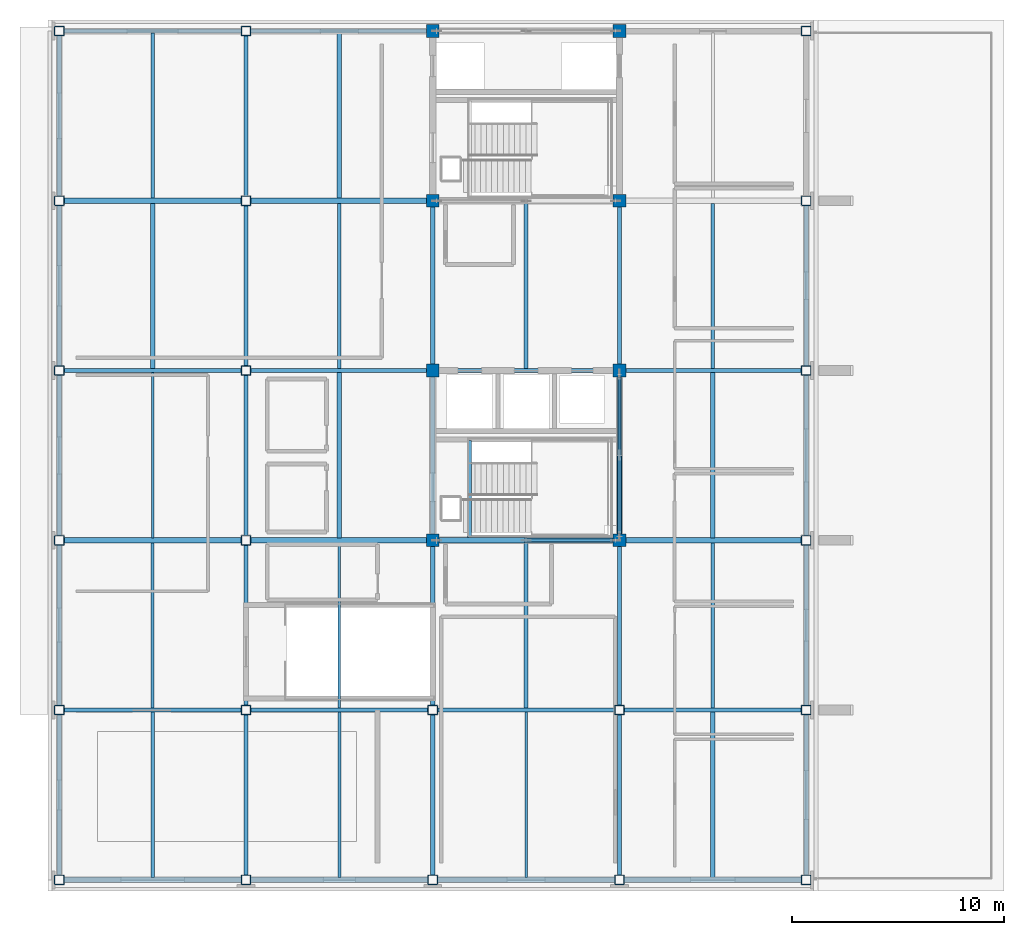
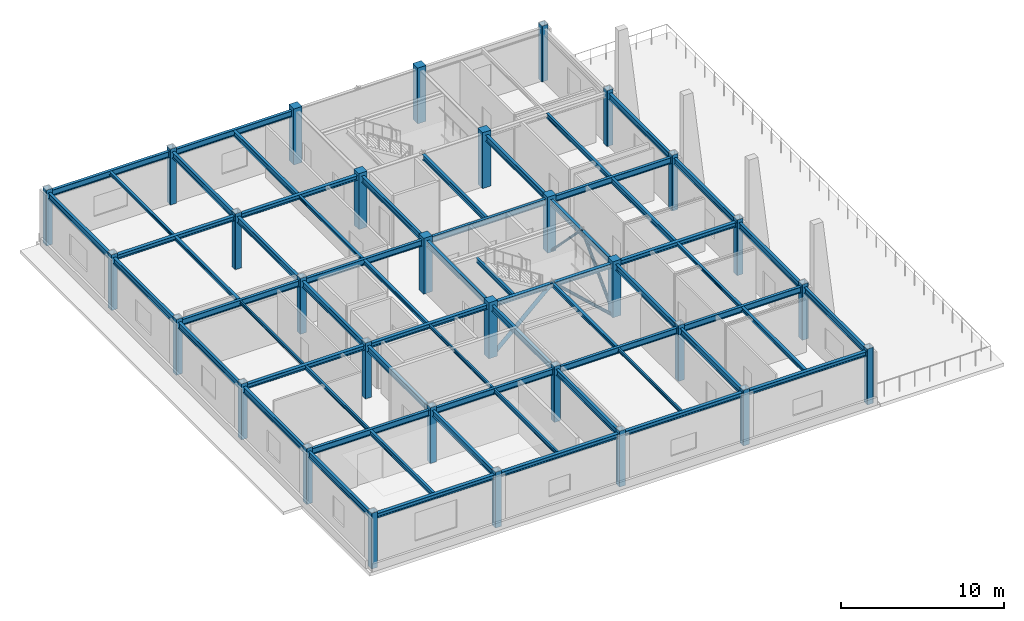
# One storey, part 1 of 13: 60 beams, 30 columns, 4 members.
"""IFC4 building model written with IfcOpenShell, lengths in metres."""

from ifc_helpers import new_model, si_unit, direction, frame, origin, origin_2d, place, context, subcontext, project, spatial, rectangle, hollow_rectangle, hollow_circle, i_section, extrude, material, material_profile, profile_set, type_object, element, save


model = new_model("IFC4")

# Units and contexts
model_context = context("Model", 3, precision=1e-05, world=origin(), true_north=direction((0.0, 1.0)))
body_context = subcontext(model_context, "Body", "Model", "MODEL_VIEW")
ifc_project = project(units=[si_unit("LENGTHUNIT", "METRE"), si_unit("AREAUNIT", "SQUARE_METRE"), si_unit("VOLUMEUNIT", "CUBIC_METRE"), si_unit("PLANEANGLEUNIT", "RADIAN"), si_unit("MASSUNIT", "GRAM", prefix="KILO")], contexts=[model_context])

# Site, building, storey
site_placement = place(None, origin())
site = spatial("IfcSite", under=ifc_project, at=site_placement, CompositionType="ELEMENT")
building_placement = place(site_placement, origin())
building = spatial("IfcBuilding", under=site, at=building_placement, Name="Zhaolan Boulevard Law Courts", CompositionType="ELEMENT")
storey_placement = place(building_placement, frame((0.0, 0.0, 37.199951171875)))
storey = spatial("IfcBuildingStorey", under=building, at=storey_placement, Name="L08", CompositionType="ELEMENT", Elevation=37.199951171875)

# Columns
ifc_material_1 = material(Name="Structural steel Q355B", Category="steel")
ifc_material_profile_1 = material_profile(ifc_material_1, hollow_rectangle(XDim=0.449951171875, YDim=0.449951171875, WallThickness=0.01806640625, InnerFilletRadius=0.01806640625, OuterFilletRadius=0.035888671875, at=origin_2d()), Name="BOX450x450x18")
ifc_profile_set_1 = profile_set([ifc_material_profile_1], Name="Structural steel Q355B")
column_type_1 = type_object("IfcColumnType", Name="COL BOX450", PredefinedType="COLUMN", material=ifc_profile_set_1)
for number, where, z_axis, x_axis, name in (
    (1, (0.0, 30.0, 0.0), (0.0, 0.0, 1.0), (1.0, 0.0, 0.0), "Column C-1E (L08)"),
    (2, (0.0, 38.0, 0.0), (0.0, 0.0, 1.0), (1.0, 0.0, 0.0), "Column C-1F (L08)"),
    (3, (0.0, 46.0, 0.0), (0.0, 0.0, 1.0), (1.0, 0.0, 0.0), "Column C-1G (L08)"),
    (4, (0.0, 54.0, 0.0), (0.0, 0.0, 1.0), (1.0, 0.0, 0.0), "Column C-1H (L08)"),
    (5, (0.0, 62.0, 0.0), (0.0, 0.0, 1.0), (1.0, 0.0, 0.0), "Column C-1J (L08)"),
    (6, (0.0, 70.0, 0.0), (0.0, 0.0, 1.0), (1.0, 0.0, 0.0), "Column C-1K (L08)"),
    (7, (8.800048828125, 30.0, 0.0), (0.0, 0.0, 1.0), (1.0, 0.0, 0.0), "Column C-2E (L08)"),
    (8, (8.800048828125, 38.0, 0.0), (0.0, 0.0, 1.0), (1.0, 0.0, 0.0), "Column C-2F (L08)"),
    (9, (8.800048828125, 46.0, 0.0), (0.0, 0.0, 1.0), (1.0, 0.0, 0.0), "Column C-2G (L08)"),
    (10, (8.800048828125, 54.0, 0.0), (0.0, 0.0, 1.0), (1.0, 0.0, 0.0), "Column C-2H (L08)"),
    (11, (8.800048828125, 62.0, 0.0), (0.0, 0.0, 1.0), (1.0, 0.0, 0.0), "Column C-2J (L08)"),
    (12, (8.800048828125, 70.0, 0.0), (0.0, 0.0, 1.0), (1.0, 0.0, 0.0), "Column C-2K (L08)"),
    (13, (17.60009765625, 30.0, 0.0), (0.0, 0.0, 1.0), (1.0, 0.0, 0.0), "Column C-3E (L08)"),
    (14, (17.60009765625, 38.0, 0.0), (0.0, 0.0, 1.0), (1.0, 0.0, 0.0), "Column C-3F (L08)"),
    (15, (26.39990234375, 30.0, 0.0), (0.0, 0.0, 1.0), (1.0, 0.0, 0.0), "Column C-4E (L08)"),
    (16, (26.39990234375, 38.0, 0.0), (0.0, 0.0, 1.0), (1.0, 0.0, 0.0), "Column C-4F (L08)"),
    (17, (35.199951171875, 30.0, 0.0), (0.0, 0.0, 1.0), (1.0, 0.0, 0.0), "Column C-5E (L08)"),
    (18, (35.199951171875, 38.0, 0.0), (0.0, 0.0, 1.0), (1.0, 0.0, 0.0), "Column C-5F (L08)"),
    (19, (35.199951171875, 46.0, 0.0), (0.0, 0.0, 1.0), (1.0, 0.0, 0.0), "Column C-5G (L08)"),
    (20, (35.199951171875, 54.0, 0.0), (0.0, 0.0, 1.0), (1.0, 0.0, 0.0), "Column C-5H (L08)"),
    (21, (35.199951171875, 62.0, 0.0), (0.0, 0.0, 1.0), (1.0, 0.0, 0.0), "Column C-5J (L08)"),
    (22, (35.199951171875, 70.0, 0.0), (0.0, 0.0, 1.0), (1.0, 0.0, 0.0), "Column C-5K (L08)"),
):
    element("IfcColumn", number, at=place(storey_placement, frame(where, z_axis=z_axis, x_axis=x_axis)), inside=storey, type_object=column_type_1, Name=name, PredefinedType="COLUMN", context=body_context, shape_type="SweptSolid", body=[
        extrude(hollow_rectangle(XDim=0.449951171875, YDim=0.449951171875, WallThickness=0.01806640625, InnerFilletRadius=0.01806640625, OuterFilletRadius=0.035888671875, at=origin_2d()), origin(), (0.0, 0.0, 1.0), 4.199951171875),
    ])
ifc_material_2 = material(Name="Concrete C50", Category="concrete")
ifc_material_profile_2 = material_profile(ifc_material_2, rectangle(XDim=0.60009765625, YDim=0.60009765625, at=origin_2d()), Name="RC600x600")
ifc_profile_set_2 = profile_set([ifc_material_profile_2], Name="Concrete C50")
column_type_2 = type_object("IfcColumnType", Name="COL RC600", PredefinedType="COLUMN", material=ifc_profile_set_2)
for number, where, z_axis, x_axis, name in (
    (23, (17.60009765625, 46.0, 0.0), (0.0, 0.0, 1.0), (1.0, 0.0, 0.0), "Column C-3G (L08)"),
    (24, (17.60009765625, 54.0, 0.0), (0.0, 0.0, 1.0), (1.0, 0.0, 0.0), "Column C-3H (L08)"),
    (25, (17.60009765625, 62.0, 0.0), (0.0, 0.0, 1.0), (1.0, 0.0, 0.0), "Column C-3J (L08)"),
    (26, (17.60009765625, 70.0, 0.0), (0.0, 0.0, 1.0), (1.0, 0.0, 0.0), "Column C-3K (L08)"),
    (27, (26.39990234375, 46.0, 0.0), (0.0, 0.0, 1.0), (1.0, 0.0, 0.0), "Column C-4G (L08)"),
    (28, (26.39990234375, 54.0, 0.0), (0.0, 0.0, 1.0), (1.0, 0.0, 0.0), "Column C-4H (L08)"),
    (29, (26.39990234375, 62.0, 0.0), (0.0, 0.0, 1.0), (1.0, 0.0, 0.0), "Column C-4J (L08)"),
    (30, (26.39990234375, 70.0, 0.0), (0.0, 0.0, 1.0), (1.0, 0.0, 0.0), "Column C-4K (L08)"),
):
    element("IfcColumn", number, at=place(storey_placement, frame(where, z_axis=z_axis, x_axis=x_axis)), inside=storey, type_object=column_type_2, Name=name, PredefinedType="COLUMN", context=body_context, shape_type="SweptSolid", body=[
        extrude(rectangle(XDim=0.60009765625, YDim=0.60009765625, at=origin_2d()), origin(), (0.0, 0.0, 1.0), 4.199951171875),
    ])

# Members
ifc_material_3 = material(Name="Structural steel Q355B", Category="steel")
ifc_material_profile_3 = material_profile(ifc_material_3, hollow_circle(Radius=0.109619140625, WallThickness=0.008056640625, at=origin_2d()), Name="CHS219x8")
ifc_profile_set_3 = profile_set([ifc_material_profile_3], Name="Structural steel Q355B")
member_type_1 = type_object("IfcMemberType", Name="BRACE CHS219", PredefinedType="BRACE", material=ifc_profile_set_3)
member_1_placement = place(storey_placement, frame((26.219970703125, 46.0, 0.030029296875), z_axis=(-0.73525664892, 0.0, 0.677788802076), x_axis=(0.0, -1.0, 0.0)))
element("IfcMember", 31, at=member_1_placement, inside=storey, type_object=member_type_1, Name="Core Brace BR-W1-L08-S2", PredefinedType="BRACE", context=body_context, shape_type="SweptSolid", body=[
    extrude(hollow_circle(Radius=0.109619140625, WallThickness=0.008056640625, at=origin_2d()), origin(), (0.0, 0.0, 1.0), 5.739501953125),
])
member_2_placement = place(storey_placement, frame((26.39990234375, 46.179931640625, 0.030029296875), z_axis=(0.0, 0.700651844954, 0.713503323161), x_axis=(-1.0, 0.0, 0.0)))
element("IfcMember", 32, at=member_2_placement, inside=storey, type_object=member_type_1, Name="Core Brace BR-W1-L08-E1", PredefinedType="BRACE", context=body_context, shape_type="SweptSolid", body=[
    extrude(hollow_circle(Radius=0.109619140625, WallThickness=0.008056640625, at=origin_2d()), origin(), (0.0, 0.0, 1.0), 5.4521484375),
])
ifc_material_4 = material(Name="Structural steel Q355B", Category="steel")
ifc_material_profile_4 = material_profile(ifc_material_4, hollow_circle(Radius=0.136474609375, WallThickness=0.010009765625, at=origin_2d()), Name="CHS273x10")
ifc_profile_set_4 = profile_set([ifc_material_profile_4], Name="Structural steel Q355B")
member_type_2 = type_object("IfcMemberType", Name="BRACE CHS273", PredefinedType="BRACE", material=ifc_profile_set_4)
member_3_placement = place(storey_placement, frame((17.780029296875, 46.0, 0.030029296875), z_axis=(0.73525664892, 0.0, 0.677788802076), x_axis=(0.0, 1.0, 0.0)))
element("IfcMember", 33, at=member_3_placement, inside=storey, type_object=member_type_2, Name="Core Brace BR-W1-L08-S1", PredefinedType="BRACE", context=body_context, shape_type="SweptSolid", body=[
    extrude(hollow_circle(Radius=0.136474609375, WallThickness=0.010009765625, at=origin_2d()), origin(), (0.0, 0.0, 1.0), 5.739501953125),
])

# Beams
ifc_material_5 = material(Name="Structural steel Q355B", Category="steel")
ifc_material_profile_5 = material_profile(ifc_material_5, i_section(OverallWidth=0.199951171875, OverallDepth=0.449951171875, WebThickness=0.009033203125, FlangeThickness=0.013916015625, FilletRadius=0.01611328125, at=origin_2d()), Name="HN450x200")
ifc_profile_set_5 = profile_set([ifc_material_profile_5], Name="Structural steel Q355B")
beam_type_1 = type_object("IfcBeamType", Name="GIRDER HN450", PredefinedType="BEAM", material=ifc_profile_set_5)
beam_1_placement = place(storey_placement, frame((0.220947265625, 38.0, 3.72314453125), z_axis=(1.0, 0.0, 0.0), x_axis=(0.0, 1.0, 0.0)))
element("IfcBeam", 34, at=beam_1_placement, inside=storey, type_object=beam_type_1, Name="Beam BX-L09-1-2-F", PredefinedType="BEAM", context=body_context, shape_type="SweptSolid", body=[
    extrude(i_section(OverallWidth=0.199951171875, OverallDepth=0.449951171875, WebThickness=0.009033203125, FlangeThickness=0.013916015625, FilletRadius=0.01611328125, at=origin_2d()), origin(), (0.0, 0.0, 1.0), 8.358154296875),
])
for number, where, z_axis, x_axis, name in (
    (35, (9.02099609375, 38.0, 3.72314453125), (1.0, 0.0, 0.0), (0.0, 1.0, 0.0), "Beam BX-L09-2-3-F"),
    (36, (17.821044921875, 38.0, 3.72314453125), (1.0, 0.0, 0.0), (0.0, 1.0, 0.0), "Beam BX-L09-3-4-F"),
    (37, (26.62109375, 38.0, 3.72314453125), (1.0, 0.0, 0.0), (0.0, 1.0, 0.0), "Beam BX-L09-4-5-F"),
):
    element("IfcBeam", number, at=place(storey_placement, frame(where, z_axis=z_axis, x_axis=x_axis)), inside=storey, type_object=beam_type_1, Name=name, PredefinedType="BEAM", context=body_context, shape_type="SweptSolid", body=[
        extrude(i_section(OverallWidth=0.199951171875, OverallDepth=0.449951171875, WebThickness=0.009033203125, FlangeThickness=0.013916015625, FilletRadius=0.01611328125, at=origin_2d()), origin(), (0.0, 0.0, 1.0), 8.35791015625),
    ])
beam_2_placement = place(storey_placement, frame((0.220947265625, 54.0, 3.72314453125), z_axis=(1.0, 0.0, 0.0), x_axis=(0.0, 1.0, 0.0)))
element("IfcBeam", 38, at=beam_2_placement, inside=storey, type_object=beam_type_1, Name="Beam BX-L09-1-2-H", PredefinedType="BEAM", context=body_context, shape_type="SweptSolid", body=[
    extrude(i_section(OverallWidth=0.199951171875, OverallDepth=0.449951171875, WebThickness=0.009033203125, FlangeThickness=0.013916015625, FilletRadius=0.01611328125, at=origin_2d()), origin(), (0.0, 0.0, 1.0), 8.358154296875),
])
beam_3_placement = place(storey_placement, frame((9.02099609375, 54.0, 3.72314453125), z_axis=(1.0, 0.0, 0.0), x_axis=(0.0, 1.0, 0.0)))
element("IfcBeam", 39, at=beam_3_placement, inside=storey, type_object=beam_type_1, Name="Beam BX-L09-2-3-H", PredefinedType="BEAM", context=body_context, shape_type="SweptSolid", body=[
    extrude(i_section(OverallWidth=0.199951171875, OverallDepth=0.449951171875, WebThickness=0.009033203125, FlangeThickness=0.013916015625, FilletRadius=0.01611328125, at=origin_2d()), origin(), (0.0, 0.0, 1.0), 8.282958984375),
])
beam_4_placement = place(storey_placement, frame((17.89599609375, 54.0, 3.72314453125), z_axis=(1.0, 0.0, 0.0), x_axis=(0.0, 1.0, 0.0)))
element("IfcBeam", 40, at=beam_4_placement, inside=storey, type_object=beam_type_1, Name="Beam BX-L09-3-4-H", PredefinedType="BEAM", context=body_context, shape_type="SweptSolid", body=[
    extrude(i_section(OverallWidth=0.199951171875, OverallDepth=0.449951171875, WebThickness=0.009033203125, FlangeThickness=0.013916015625, FilletRadius=0.01611328125, at=origin_2d()), origin(), (0.0, 0.0, 1.0), 8.2080078125),
])
beam_5_placement = place(storey_placement, frame((26.696044921875, 54.0, 3.72314453125), z_axis=(1.0, 0.0, 0.0), x_axis=(0.0, 1.0, 0.0)))
element("IfcBeam", 41, at=beam_5_placement, inside=storey, type_object=beam_type_1, Name="Beam BX-L09-4-5-H", PredefinedType="BEAM", context=body_context, shape_type="SweptSolid", body=[
    extrude(i_section(OverallWidth=0.199951171875, OverallDepth=0.449951171875, WebThickness=0.009033203125, FlangeThickness=0.013916015625, FilletRadius=0.01611328125, at=origin_2d()), origin(), (0.0, 0.0, 1.0), 8.282958984375),
])
beam_6_placement = place(storey_placement, frame((0.220947265625, 70.0, 3.72314453125), z_axis=(1.0, 0.0, 0.0), x_axis=(0.0, 1.0, 0.0)))
element("IfcBeam", 42, at=beam_6_placement, inside=storey, type_object=beam_type_1, Name="Beam BX-L09-1-2-K", PredefinedType="BEAM", context=body_context, shape_type="SweptSolid", body=[
    extrude(i_section(OverallWidth=0.199951171875, OverallDepth=0.449951171875, WebThickness=0.009033203125, FlangeThickness=0.013916015625, FilletRadius=0.01611328125, at=origin_2d()), origin(), (0.0, 0.0, 1.0), 8.358154296875),
])
beam_7_placement = place(storey_placement, frame((9.02099609375, 70.0, 3.72314453125), z_axis=(1.0, 0.0, 0.0), x_axis=(0.0, 1.0, 0.0)))
element("IfcBeam", 43, at=beam_7_placement, inside=storey, type_object=beam_type_1, Name="Beam BX-L09-2-3-K", PredefinedType="BEAM", context=body_context, shape_type="SweptSolid", body=[
    extrude(i_section(OverallWidth=0.199951171875, OverallDepth=0.449951171875, WebThickness=0.009033203125, FlangeThickness=0.013916015625, FilletRadius=0.01611328125, at=origin_2d()), origin(), (0.0, 0.0, 1.0), 8.282958984375),
])
for number, where, z_axis, x_axis, name in (
    (44, (0.0, 30.220947265625, 3.72314453125), (0.0, 1.0, 0.0), (-1.0, 0.0, 0.0), "Beam BY-L09-1-E-F"),
    (45, (0.0, 38.220947265625, 3.72314453125), (0.0, 1.0, 0.0), (-1.0, 0.0, 0.0), "Beam BY-L09-1-F-G"),
    (46, (0.0, 46.220947265625, 3.72314453125), (0.0, 1.0, 0.0), (-1.0, 0.0, 0.0), "Beam BY-L09-1-G-H"),
    (47, (0.0, 54.220947265625, 3.72314453125), (0.0, 1.0, 0.0), (-1.0, 0.0, 0.0), "Beam BY-L09-1-H-J"),
    (48, (0.0, 62.220947265625, 3.72314453125), (0.0, 1.0, 0.0), (-1.0, 0.0, 0.0), "Beam BY-L09-1-J-K"),
    (49, (8.800048828125, 30.220947265625, 3.72314453125), (0.0, 1.0, 0.0), (-1.0, 0.0, 0.0), "Beam BY-L09-2-E-F"),
    (50, (8.800048828125, 38.220947265625, 3.72314453125), (0.0, 1.0, 0.0), (-1.0, 0.0, 0.0), "Beam BY-L09-2-F-G"),
    (51, (8.800048828125, 46.220947265625, 3.72314453125), (0.0, 1.0, 0.0), (-1.0, 0.0, 0.0), "Beam BY-L09-2-G-H"),
    (52, (8.800048828125, 54.220947265625, 3.72314453125), (0.0, 1.0, 0.0), (-1.0, 0.0, 0.0), "Beam BY-L09-2-H-J"),
    (53, (8.800048828125, 62.220947265625, 3.72314453125), (0.0, 1.0, 0.0), (-1.0, 0.0, 0.0), "Beam BY-L09-2-J-K"),
    (54, (17.60009765625, 30.220947265625, 3.72314453125), (0.0, 1.0, 0.0), (-1.0, 0.0, 0.0), "Beam BY-L09-3-E-F"),
):
    element("IfcBeam", number, at=place(storey_placement, frame(where, z_axis=z_axis, x_axis=x_axis)), inside=storey, type_object=beam_type_1, Name=name, PredefinedType="BEAM", context=body_context, shape_type="SweptSolid", body=[
        extrude(i_section(OverallWidth=0.199951171875, OverallDepth=0.449951171875, WebThickness=0.009033203125, FlangeThickness=0.013916015625, FilletRadius=0.01611328125, at=origin_2d()), origin(), (0.0, 0.0, 1.0), 7.55810546875),
    ])
beam_8_placement = place(storey_placement, frame((17.60009765625, 38.220947265625, 3.72314453125), z_axis=(0.0, 1.0, 0.0), x_axis=(-1.0, 0.0, 0.0)))
element("IfcBeam", 55, at=beam_8_placement, inside=storey, type_object=beam_type_1, Name="Beam BY-L09-3-F-G", PredefinedType="BEAM", context=body_context, shape_type="SweptSolid", body=[
    extrude(i_section(OverallWidth=0.199951171875, OverallDepth=0.449951171875, WebThickness=0.009033203125, FlangeThickness=0.013916015625, FilletRadius=0.01611328125, at=origin_2d()), origin(), (0.0, 0.0, 1.0), 7.483154296875),
])
for number, where, z_axis, x_axis, name in (
    (56, (17.60009765625, 46.2958984375, 3.72314453125), (0.0, 1.0, 0.0), (-1.0, 0.0, 0.0), "Beam BY-L09-3-G-H"),
    (57, (17.60009765625, 54.2958984375, 3.72314453125), (0.0, 1.0, 0.0), (-1.0, 0.0, 0.0), "Beam BY-L09-3-H-J"),
):
    element("IfcBeam", number, at=place(storey_placement, frame(where, z_axis=z_axis, x_axis=x_axis)), inside=storey, type_object=beam_type_1, Name=name, PredefinedType="BEAM", context=body_context, shape_type="SweptSolid", body=[
        extrude(i_section(OverallWidth=0.199951171875, OverallDepth=0.449951171875, WebThickness=0.009033203125, FlangeThickness=0.013916015625, FilletRadius=0.01611328125, at=origin_2d()), origin(), (0.0, 0.0, 1.0), 7.408203125),
    ])
beam_9_placement = place(storey_placement, frame((26.39990234375, 30.220947265625, 3.72314453125), z_axis=(0.0, 1.0, 0.0), x_axis=(-1.0, 0.0, 0.0)))
element("IfcBeam", 58, at=beam_9_placement, inside=storey, type_object=beam_type_1, Name="Beam BY-L09-4-E-F", PredefinedType="BEAM", context=body_context, shape_type="SweptSolid", body=[
    extrude(i_section(OverallWidth=0.199951171875, OverallDepth=0.449951171875, WebThickness=0.009033203125, FlangeThickness=0.013916015625, FilletRadius=0.01611328125, at=origin_2d()), origin(), (0.0, 0.0, 1.0), 7.55810546875),
])
beam_10_placement = place(storey_placement, frame((26.39990234375, 38.220947265625, 3.72314453125), z_axis=(0.0, 1.0, 0.0), x_axis=(-1.0, 0.0, 0.0)))
element("IfcBeam", 59, at=beam_10_placement, inside=storey, type_object=beam_type_1, Name="Beam BY-L09-4-F-G", PredefinedType="BEAM", context=body_context, shape_type="SweptSolid", body=[
    extrude(i_section(OverallWidth=0.199951171875, OverallDepth=0.449951171875, WebThickness=0.009033203125, FlangeThickness=0.013916015625, FilletRadius=0.01611328125, at=origin_2d()), origin(), (0.0, 0.0, 1.0), 7.483154296875),
])
for number, where, z_axis, x_axis, name in (
    (60, (26.39990234375, 46.2958984375, 3.72314453125), (0.0, 1.0, 0.0), (-1.0, 0.0, 0.0), "Beam BY-L09-4-G-H"),
    (61, (26.39990234375, 54.2958984375, 3.72314453125), (0.0, 1.0, 0.0), (-1.0, 0.0, 0.0), "Beam BY-L09-4-H-J"),
):
    element("IfcBeam", number, at=place(storey_placement, frame(where, z_axis=z_axis, x_axis=x_axis)), inside=storey, type_object=beam_type_1, Name=name, PredefinedType="BEAM", context=body_context, shape_type="SweptSolid", body=[
        extrude(i_section(OverallWidth=0.199951171875, OverallDepth=0.449951171875, WebThickness=0.009033203125, FlangeThickness=0.013916015625, FilletRadius=0.01611328125, at=origin_2d()), origin(), (0.0, 0.0, 1.0), 7.408203125),
    ])
for number, where, z_axis, x_axis, name in (
    (62, (35.199951171875, 30.220947265625, 3.72314453125), (0.0, 1.0, 0.0), (-1.0, 0.0, 0.0), "Beam BY-L09-5-E-F"),
    (63, (35.199951171875, 38.220947265625, 3.72314453125), (0.0, 1.0, 0.0), (-1.0, 0.0, 0.0), "Beam BY-L09-5-F-G"),
    (64, (35.199951171875, 46.220947265625, 3.72314453125), (0.0, 1.0, 0.0), (-1.0, 0.0, 0.0), "Beam BY-L09-5-G-H"),
    (65, (35.199951171875, 54.220947265625, 3.72314453125), (0.0, 1.0, 0.0), (-1.0, 0.0, 0.0), "Beam BY-L09-5-H-J"),
):
    element("IfcBeam", number, at=place(storey_placement, frame(where, z_axis=z_axis, x_axis=x_axis)), inside=storey, type_object=beam_type_1, Name=name, PredefinedType="BEAM", context=body_context, shape_type="SweptSolid", body=[
        extrude(i_section(OverallWidth=0.199951171875, OverallDepth=0.449951171875, WebThickness=0.009033203125, FlangeThickness=0.013916015625, FilletRadius=0.01611328125, at=origin_2d()), origin(), (0.0, 0.0, 1.0), 7.55810546875),
    ])
ifc_material_6 = material(Name="Structural steel Q355B", Category="steel")
ifc_material_profile_6 = material_profile(ifc_material_6, i_section(OverallWidth=0.175048828125, OverallDepth=0.243896484375, WebThickness=0.007080078125, FlangeThickness=0.010986328125, FilletRadius=0.012939453125, at=origin_2d()), Name="HM244x175")
ifc_profile_set_6 = profile_set([ifc_material_profile_6], Name="Structural steel Q355B")
beam_type_2 = type_object("IfcBeamType", Name="JOIST HM244", PredefinedType="JOIST", material=ifc_profile_set_6)
for number, where, z_axis, x_axis, name in (
    (66, (4.39990234375, 62.12109375, 3.825927734375), (0.0, 1.0, 0.0), (-1.0, 0.0, 0.0), "Composite Joist J-L09-1J"),
    (67, (13.199951171875, 54.095947265625, 3.825927734375), (0.0, 1.0, 0.0), (-1.0, 0.0, 0.0), "Composite Joist J-L09-2H"),
    (68, (30.800048828125, 38.095947265625, 3.825927734375), (0.0, 1.0, 0.0), (-1.0, 0.0, 0.0), "Composite Joist J-L09-4F"),
):
    element("IfcBeam", number, at=place(storey_placement, frame(where, z_axis=z_axis, x_axis=x_axis)), inside=storey, type_object=beam_type_2, Name=name, PredefinedType="JOIST", context=body_context, shape_type="SweptSolid", body=[
        extrude(i_section(OverallWidth=0.175048828125, OverallDepth=0.243896484375, WebThickness=0.007080078125, FlangeThickness=0.010986328125, FilletRadius=0.012939453125, at=origin_2d()), origin(), (0.0, 0.0, 1.0), 7.782958984375),
    ])
ifc_material_7 = material(Name="Structural steel Q355B", Category="steel")
ifc_material_profile_7 = material_profile(ifc_material_7, i_section(OverallWidth=0.199951171875, OverallDepth=0.2939453125, WebThickness=0.008056640625, FlangeThickness=0.011962890625, FilletRadius=0.01611328125, at=origin_2d()), Name="HM294x200")
ifc_profile_set_7 = profile_set([ifc_material_profile_7], Name="Structural steel Q355B")
beam_type_3 = type_object("IfcBeamType", Name="JOIST HM294", PredefinedType="JOIST", material=ifc_profile_set_7)
for number, where, z_axis, x_axis, name in (
    (69, (4.39990234375, 54.095947265625, 3.801025390625), (0.0, 1.0, 0.0), (-1.0, 0.0, 0.0), "Composite Joist J-L09-1H"),
    (70, (13.199951171875, 46.12109375, 3.801025390625), (0.0, 1.0, 0.0), (-1.0, 0.0, 0.0), "Composite Joist J-L09-2G"),
    (71, (22.0, 38.095947265625, 3.801025390625), (0.0, 1.0, 0.0), (-1.0, 0.0, 0.0), "Composite Joist J-L09-3F"),
    (72, (30.800048828125, 30.12109375, 3.801025390625), (0.0, 1.0, 0.0), (-1.0, 0.0, 0.0), "Composite Joist J-L09-4E"),
):
    element("IfcBeam", number, at=place(storey_placement, frame(where, z_axis=z_axis, x_axis=x_axis)), inside=storey, type_object=beam_type_3, Name=name, PredefinedType="JOIST", context=body_context, shape_type="SweptSolid", body=[
        extrude(i_section(OverallWidth=0.199951171875, OverallDepth=0.2939453125, WebThickness=0.008056640625, FlangeThickness=0.011962890625, FilletRadius=0.01611328125, at=origin_2d()), origin(), (0.0, 0.0, 1.0), 7.782958984375),
    ])
ifc_material_8 = material(Name="Structural steel Q355B", Category="steel")
ifc_material_profile_8 = material_profile(ifc_material_8, i_section(OverallWidth=0.125, OverallDepth=0.25, WebThickness=0.006103515625, FlangeThickness=0.009033203125, FilletRadius=0.010009765625, at=origin_2d()), Name="HN250x125")
ifc_profile_set_8 = profile_set([ifc_material_profile_8], Name="Structural steel Q355B")
beam_type_4 = type_object("IfcBeamType", Name="JOIST HN250", PredefinedType="JOIST", material=ifc_profile_set_8)
for number, where, z_axis, x_axis, name in (
    (73, (4.39990234375, 46.12109375, 3.822998046875), (0.0, 1.0, 0.0), (-1.0, 0.0, 0.0), "Composite Joist J-L09-1G"),
    (74, (13.199951171875, 38.095947265625, 3.822998046875), (0.0, 1.0, 0.0), (-1.0, 0.0, 0.0), "Composite Joist J-L09-2F"),
    (75, (22.0, 30.12109375, 3.822998046875), (0.0, 1.0, 0.0), (-1.0, 0.0, 0.0), "Composite Joist J-L09-3E"),
):
    element("IfcBeam", number, at=place(storey_placement, frame(where, z_axis=z_axis, x_axis=x_axis)), inside=storey, type_object=beam_type_4, Name=name, PredefinedType="JOIST", context=body_context, shape_type="SweptSolid", body=[
        extrude(i_section(OverallWidth=0.125, OverallDepth=0.25, WebThickness=0.006103515625, FlangeThickness=0.009033203125, FilletRadius=0.010009765625, at=origin_2d()), origin(), (0.0, 0.0, 1.0), 7.782958984375),
    ])
ifc_material_9 = material(Name="Structural steel Q355B", Category="steel")
ifc_material_profile_9 = material_profile(ifc_material_9, i_section(OverallWidth=0.14990234375, OverallDepth=0.300048828125, WebThickness=0.006591796875, FlangeThickness=0.009033203125, FilletRadius=0.010986328125, at=origin_2d()), Name="HN300x150")
ifc_profile_set_9 = profile_set([ifc_material_profile_9], Name="Structural steel Q355B")
beam_type_5 = type_object("IfcBeamType", Name="JOIST HN300", PredefinedType="JOIST", material=ifc_profile_set_9)
for number, where, z_axis, x_axis, name in (
    (76, (4.39990234375, 38.095947265625, 3.798095703125), (0.0, 1.0, 0.0), (-1.0, 0.0, 0.0), "Composite Joist J-L09-1F"),
    (77, (13.199951171875, 30.12109375, 3.798095703125), (0.0, 1.0, 0.0), (-1.0, 0.0, 0.0), "Composite Joist J-L09-2E"),
):
    element("IfcBeam", number, at=place(storey_placement, frame(where, z_axis=z_axis, x_axis=x_axis)), inside=storey, type_object=beam_type_5, Name=name, PredefinedType="JOIST", context=body_context, shape_type="SweptSolid", body=[
        extrude(i_section(OverallWidth=0.14990234375, OverallDepth=0.300048828125, WebThickness=0.006591796875, FlangeThickness=0.009033203125, FilletRadius=0.010986328125, at=origin_2d()), origin(), (0.0, 0.0, 1.0), 7.782958984375),
    ])
ifc_material_10 = material(Name="Structural steel Q355B", Category="steel")
ifc_material_profile_10 = material_profile(ifc_material_10, i_section(OverallWidth=0.175048828125, OverallDepth=0.35009765625, WebThickness=0.007080078125, FlangeThickness=0.010986328125, FilletRadius=0.012939453125, at=origin_2d()), Name="HN350x175")
ifc_profile_set_10 = profile_set([ifc_material_profile_10], Name="Structural steel Q355B")
beam_type_6 = type_object("IfcBeamType", Name="JOIST HN350", PredefinedType="JOIST", material=ifc_profile_set_10)
for number, where, z_axis, x_axis, name in (
    (78, (4.39990234375, 30.12109375, 3.77294921875), (0.0, 1.0, 0.0), (-1.0, 0.0, 0.0), "Composite Joist J-L09-1E"),
    (79, (30.800048828125, 54.095947265625, 3.77294921875), (0.0, 1.0, 0.0), (-1.0, 0.0, 0.0), "Composite Joist J-L09-4H"),
):
    element("IfcBeam", number, at=place(storey_placement, frame(where, z_axis=z_axis, x_axis=x_axis)), inside=storey, type_object=beam_type_6, Name=name, PredefinedType="JOIST", context=body_context, shape_type="SweptSolid", body=[
        extrude(i_section(OverallWidth=0.175048828125, OverallDepth=0.35009765625, WebThickness=0.007080078125, FlangeThickness=0.010986328125, FilletRadius=0.012939453125, at=origin_2d()), origin(), (0.0, 0.0, 1.0), 7.782958984375),
    ])
ifc_material_11 = material(Name="Structural steel Q355B", Category="steel")
ifc_material_profile_11 = material_profile(ifc_material_11, i_section(OverallWidth=0.199951171875, OverallDepth=0.39990234375, WebThickness=0.008056640625, FlangeThickness=0.012939453125, FilletRadius=0.013916015625, at=origin_2d()), Name="HN400x200")
ifc_profile_set_11 = profile_set([ifc_material_profile_11], Name="Structural steel Q355B")
beam_type_7 = type_object("IfcBeamType", Name="JOIST HN400", PredefinedType="JOIST", material=ifc_profile_set_11)
for number, where, z_axis, x_axis, name in (
    (80, (13.199951171875, 62.12109375, 3.748046875), (0.0, 1.0, 0.0), (-1.0, 0.0, 0.0), "Composite Joist J-L09-2J"),
    (81, (22.0, 54.095947265625, 3.748046875), (0.0, 1.0, 0.0), (-1.0, 0.0, 0.0), "Composite Joist J-L09-3H"),
    (82, (30.800048828125, 46.12109375, 3.748046875), (0.0, 1.0, 0.0), (-1.0, 0.0, 0.0), "Composite Joist J-L09-4G"),
):
    element("IfcBeam", number, at=place(storey_placement, frame(where, z_axis=z_axis, x_axis=x_axis)), inside=storey, type_object=beam_type_7, Name=name, PredefinedType="JOIST", context=body_context, shape_type="SweptSolid", body=[
        extrude(i_section(OverallWidth=0.199951171875, OverallDepth=0.39990234375, WebThickness=0.008056640625, FlangeThickness=0.012939453125, FilletRadius=0.013916015625, at=origin_2d()), origin(), (0.0, 0.0, 1.0), 7.782958984375),
    ])
ifc_material_12 = material(Name="Structural steel Q355B", Category="steel")
ifc_material_profile_12 = material_profile(ifc_material_12, i_section(OverallWidth=0.25, OverallDepth=0.340087890625, WebThickness=0.009033203125, FlangeThickness=0.013916015625, FilletRadius=0.01611328125, at=origin_2d()), Name="HM340x250")
ifc_profile_set_12 = profile_set([ifc_material_profile_12], Name="Structural steel Q355B")
beam_type_8 = type_object("IfcBeamType", Name="SPANDREL HM340", PredefinedType="SPANDREL", material=ifc_profile_set_12)
beam_11_placement = place(storey_placement, frame((0.220947265625, 30.0, 3.778076171875), z_axis=(1.0, 0.0, 0.0), x_axis=(0.0, 1.0, 0.0)))
element("IfcBeam", 83, at=beam_11_placement, inside=storey, type_object=beam_type_8, Name="Beam BX-L09-1-2-E", PredefinedType="SPANDREL", context=body_context, shape_type="SweptSolid", body=[
    extrude(i_section(OverallWidth=0.25, OverallDepth=0.340087890625, WebThickness=0.009033203125, FlangeThickness=0.013916015625, FilletRadius=0.01611328125, at=origin_2d()), origin(), (0.0, 0.0, 1.0), 8.358154296875),
])
for number, where, z_axis, x_axis, name in (
    (84, (9.02099609375, 30.0, 3.778076171875), (1.0, 0.0, 0.0), (0.0, 1.0, 0.0), "Beam BX-L09-2-3-E"),
    (85, (17.821044921875, 30.0, 3.778076171875), (1.0, 0.0, 0.0), (0.0, 1.0, 0.0), "Beam BX-L09-3-4-E"),
    (86, (26.62109375, 30.0, 3.778076171875), (1.0, 0.0, 0.0), (0.0, 1.0, 0.0), "Beam BX-L09-4-5-E"),
):
    element("IfcBeam", number, at=place(storey_placement, frame(where, z_axis=z_axis, x_axis=x_axis)), inside=storey, type_object=beam_type_8, Name=name, PredefinedType="SPANDREL", context=body_context, shape_type="SweptSolid", body=[
        extrude(i_section(OverallWidth=0.25, OverallDepth=0.340087890625, WebThickness=0.009033203125, FlangeThickness=0.013916015625, FilletRadius=0.01611328125, at=origin_2d()), origin(), (0.0, 0.0, 1.0), 8.35791015625),
    ])
beam_12_placement = place(storey_placement, frame((0.220947265625, 46.0, 3.778076171875), z_axis=(1.0, 0.0, 0.0), x_axis=(0.0, 1.0, 0.0)))
element("IfcBeam", 87, at=beam_12_placement, inside=storey, type_object=beam_type_8, Name="Beam BX-L09-1-2-G", PredefinedType="SPANDREL", context=body_context, shape_type="SweptSolid", body=[
    extrude(i_section(OverallWidth=0.25, OverallDepth=0.340087890625, WebThickness=0.009033203125, FlangeThickness=0.013916015625, FilletRadius=0.01611328125, at=origin_2d()), origin(), (0.0, 0.0, 1.0), 8.358154296875),
])
beam_13_placement = place(storey_placement, frame((9.02099609375, 46.0, 3.778076171875), z_axis=(1.0, 0.0, 0.0), x_axis=(0.0, 1.0, 0.0)))
element("IfcBeam", 88, at=beam_13_placement, inside=storey, type_object=beam_type_8, Name="Beam BX-L09-2-3-G", PredefinedType="SPANDREL", context=body_context, shape_type="SweptSolid", body=[
    extrude(i_section(OverallWidth=0.25, OverallDepth=0.340087890625, WebThickness=0.009033203125, FlangeThickness=0.013916015625, FilletRadius=0.01611328125, at=origin_2d()), origin(), (0.0, 0.0, 1.0), 8.282958984375),
])
beam_14_placement = place(storey_placement, frame((17.89599609375, 46.0, 3.778076171875), z_axis=(1.0, 0.0, 0.0), x_axis=(0.0, 1.0, 0.0)))
element("IfcBeam", 89, at=beam_14_placement, inside=storey, type_object=beam_type_8, Name="Beam BX-L09-3-4-G", PredefinedType="SPANDREL", context=body_context, shape_type="SweptSolid", body=[
    extrude(i_section(OverallWidth=0.25, OverallDepth=0.340087890625, WebThickness=0.009033203125, FlangeThickness=0.013916015625, FilletRadius=0.01611328125, at=origin_2d()), origin(), (0.0, 0.0, 1.0), 8.2080078125),
])
beam_15_placement = place(storey_placement, frame((26.696044921875, 46.0, 3.778076171875), z_axis=(1.0, 0.0, 0.0), x_axis=(0.0, 1.0, 0.0)))
element("IfcBeam", 90, at=beam_15_placement, inside=storey, type_object=beam_type_8, Name="Beam BX-L09-4-5-G", PredefinedType="SPANDREL", context=body_context, shape_type="SweptSolid", body=[
    extrude(i_section(OverallWidth=0.25, OverallDepth=0.340087890625, WebThickness=0.009033203125, FlangeThickness=0.013916015625, FilletRadius=0.01611328125, at=origin_2d()), origin(), (0.0, 0.0, 1.0), 8.282958984375),
])
beam_16_placement = place(storey_placement, frame((0.220947265625, 62.0, 3.778076171875), z_axis=(1.0, 0.0, 0.0), x_axis=(0.0, 1.0, 0.0)))
element("IfcBeam", 91, at=beam_16_placement, inside=storey, type_object=beam_type_8, Name="Beam BX-L09-1-2-J", PredefinedType="SPANDREL", context=body_context, shape_type="SweptSolid", body=[
    extrude(i_section(OverallWidth=0.25, OverallDepth=0.340087890625, WebThickness=0.009033203125, FlangeThickness=0.013916015625, FilletRadius=0.01611328125, at=origin_2d()), origin(), (0.0, 0.0, 1.0), 8.358154296875),
])
beam_17_placement = place(storey_placement, frame((9.02099609375, 62.0, 3.778076171875), z_axis=(1.0, 0.0, 0.0), x_axis=(0.0, 1.0, 0.0)))
element("IfcBeam", 92, at=beam_17_placement, inside=storey, type_object=beam_type_8, Name="Beam BX-L09-2-3-J", PredefinedType="SPANDREL", context=body_context, shape_type="SweptSolid", body=[
    extrude(i_section(OverallWidth=0.25, OverallDepth=0.340087890625, WebThickness=0.009033203125, FlangeThickness=0.013916015625, FilletRadius=0.01611328125, at=origin_2d()), origin(), (0.0, 0.0, 1.0), 8.282958984375),
])
ifc_material_13 = material(Name="Structural steel Q355B", Category="steel")
ifc_material_profile_13 = material_profile(ifc_material_13, i_section(OverallWidth=0.175048828125, OverallDepth=0.35009765625, WebThickness=0.007080078125, FlangeThickness=0.010986328125, FilletRadius=0.012939453125, at=origin_2d()), Name="HN350x175")
ifc_profile_set_13 = profile_set([ifc_material_profile_13], Name="Structural steel Q355B")
beam_type_9 = type_object("IfcBeamType", Name="STAIR TRIMMER HN350", PredefinedType="BEAM", material=ifc_profile_set_13)
beam_18_placement = place(storey_placement, frame((19.3349609375, 46.139892578125, 3.735107421875), z_axis=(0.0, 1.0, 0.0), x_axis=(-1.0, 0.0, 0.0)))
element("IfcBeam", 93, at=beam_18_placement, inside=storey, type_object=beam_type_9, Name="Stair Landing Trimmer Beam STB-ST01-L09", PredefinedType="BEAM", context=body_context, shape_type="SweptSolid", body=[
    extrude(i_section(OverallWidth=0.175048828125, OverallDepth=0.35009765625, WebThickness=0.007080078125, FlangeThickness=0.010986328125, FilletRadius=0.012939453125, at=origin_2d()), origin(), (0.0, 0.0, 1.0), 4.570068359375),
])

# Member
ifc_material_14 = material(Name="Structural steel Q355B", Category="steel")
ifc_material_profile_14 = material_profile(ifc_material_14, hollow_circle(Radius=0.083984375, WallThickness=0.008056640625, at=origin_2d()), Name="CHS168x8")
ifc_profile_set_14 = profile_set([ifc_material_profile_14], Name="Structural steel Q355B")
member_type_3 = type_object("IfcMemberType", Name="STRUT CHS168", PredefinedType="BRACE", material=ifc_profile_set_14)
member_4_placement = place(storey_placement, frame((26.39990234375, 53.820068359375, 0.030029296875), z_axis=(0.0, -0.700651844954, 0.713503323161), x_axis=(1.0, 0.0, 0.0)))
element("IfcMember", 94, at=member_4_placement, inside=storey, type_object=member_type_3, Name="Core Brace BR-W1-L08-E2", PredefinedType="BRACE", context=body_context, shape_type="SweptSolid", body=[
    extrude(hollow_circle(Radius=0.083984375, WallThickness=0.008056640625, at=origin_2d()), origin(), (0.0, 0.0, 1.0), 5.4521484375),
])

save(model, "model.ifc")
